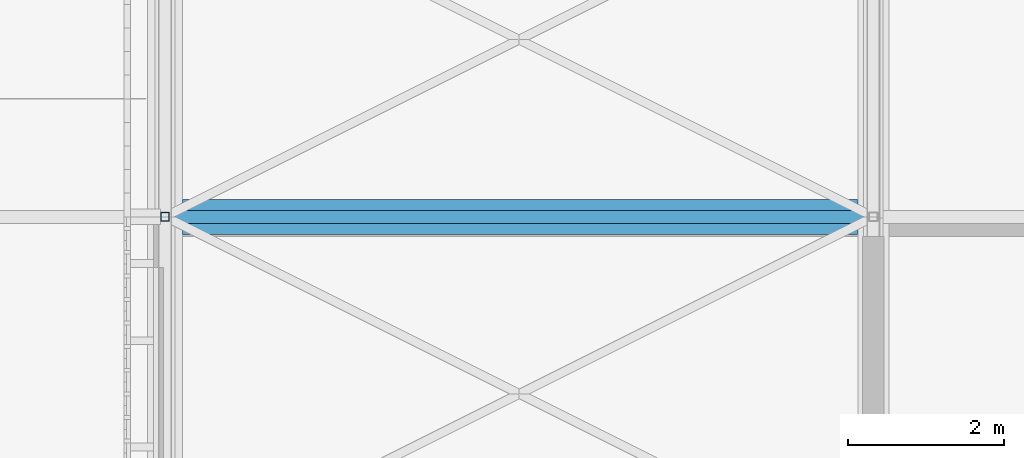
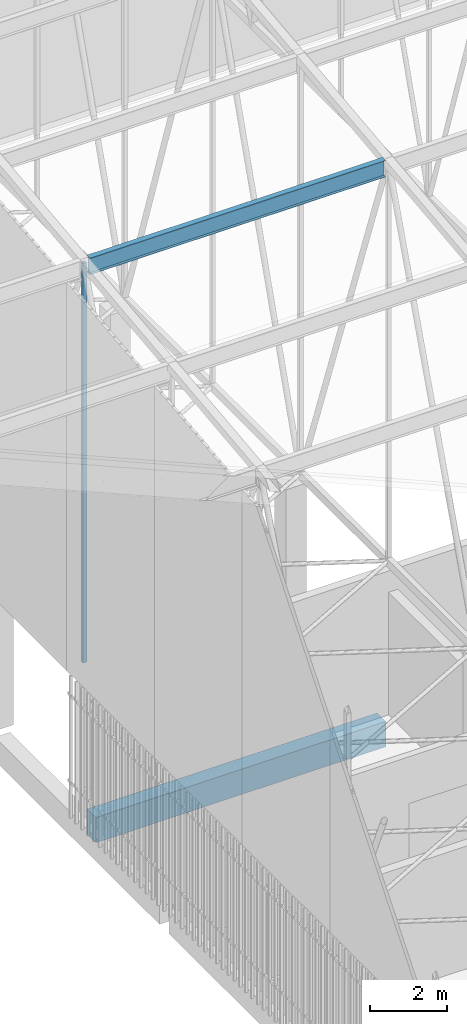
# One storey, part 61 of 500: 2 members, 1 beam.
"""IFC4 building model written with IfcOpenShell, lengths in metres."""

from ifc_helpers import new_model, si_unit, direction, frame, origin, origin_2d, place, context, subcontext, project, spatial, rectangle, hollow_rectangle, i_section, extrude, material, material_profile, profile_set, type_object, element, save


model = new_model("IFC4")

# Units and contexts
model_context = context("Model", 3, precision=1e-05, world=origin(), true_north=direction((0.0, 1.0)))
body_context = subcontext(model_context, "Body", "Model", "MODEL_VIEW")
ifc_project = project(units=[si_unit("LENGTHUNIT", "METRE"), si_unit("AREAUNIT", "SQUARE_METRE"), si_unit("VOLUMEUNIT", "CUBIC_METRE"), si_unit("PLANEANGLEUNIT", "RADIAN"), si_unit("MASSUNIT", "GRAM", prefix="KILO")], contexts=[model_context])

# Site, building, storey
site_placement = place(None, origin())
site = spatial("IfcSite", under=ifc_project, at=site_placement, CompositionType="ELEMENT")
building_placement = place(site_placement, origin())
building = spatial("IfcBuilding", under=site, at=building_placement, Name="Shirokan Park Arena", CompositionType="ELEMENT")
storey_placement = place(building_placement, frame((0.0, 0.0, 29.1201171875)))
storey = spatial("IfcBuildingStorey", under=building, at=storey_placement, Name="L06", CompositionType="ELEMENT", Elevation=29.1201171875)

# Member
ifc_material_1 = material(Name="Steel ASTM A992", Category="steel")
ifc_material_profile_1 = material_profile(ifc_material_1, i_section(OverallWidth=0.166015625, OverallDepth=0.528076171875, WebThickness=0.009765625, FlangeThickness=0.013671875, at=origin_2d()), Name="W530X74")
ifc_profile_set_1 = profile_set([ifc_material_profile_1], Name="Steel ASTM A992")
member_type_1 = type_object("IfcMemberType", Name="Purlin W530X74", PredefinedType="PURLIN", material=ifc_profile_set_1)
member_1_placement = place(storey_placement, frame((0.126953125, 40.949951171875, 17.165771484375), z_axis=(1.0, 0.0, 0.0), x_axis=(0.0, 1.0, 0.0)))
element("IfcMember", 1, at=member_1_placement, inside=storey, type_object=member_type_1, Name="Purlin 12 bay 1", PredefinedType="PURLIN", context=body_context, shape_type="SweptSolid", body=[
    extrude(i_section(OverallWidth=0.166015625, OverallDepth=0.528076171875, WebThickness=0.009765625, FlangeThickness=0.013671875, at=origin_2d()), origin(), (0.0, 0.0, 1.0), 8.845947265625),
])

# Beam
ifc_material_2 = material(Name="Concrete C35", Category="concrete")
ifc_material_profile_2 = material_profile(ifc_material_2, rectangle(XDim=0.449951171875, YDim=0.800048828125, at=origin_2d()), Name="450x800")
ifc_profile_set_2 = profile_set([ifc_material_profile_2], Name="Concrete C35")
beam_type = type_object("IfcBeamType", Name="RC edge beam 450x800", PredefinedType="BEAM", material=ifc_profile_set_2)
beam_placement = place(storey_placement, frame((0.22509765625, 40.949951171875, -0.60009765625), z_axis=(1.0, 0.0, 0.0), x_axis=(0.0, 1.0, 0.0)))
element("IfcBeam", 2, at=beam_placement, inside=storey, type_object=beam_type, Name="Edge beam L06 L06-33", PredefinedType="BEAM", context=body_context, shape_type="SweptSolid", body=[
    extrude(rectangle(XDim=0.449951171875, YDim=0.800048828125, at=origin_2d()), origin(), (0.0, 0.0, 1.0), 8.6748046875),
])

# Member
ifc_material_3 = material(Name="Steel ASTM A500 Grade C", Category="steel")
ifc_material_profile_3 = material_profile(ifc_material_3, hollow_rectangle(XDim=0.114013671875, YDim=0.114013671875, WallThickness=0.00634765625, at=origin_2d()), Name="HSS114.3X114.3X6.4")
ifc_profile_set_3 = profile_set([ifc_material_profile_3], Name="Steel ASTM A500 Grade C")
member_type_2 = type_object("IfcMemberType", Name="Truss post HSS114.3X114.3X6.4", PredefinedType="POST", material=ifc_profile_set_3)
member_2_placement = place(storey_placement, frame((0.0, 40.949951171875, 4.677001953125), z_axis=(0.0, 0.0, 1.0), x_axis=(1.0, 0.0, 0.0)))
element("IfcMember", 3, at=member_2_placement, inside=storey, type_object=member_type_2, Name="Truss T01 post 12", PredefinedType="POST", context=body_context, shape_type="SweptSolid", body=[
    extrude(hollow_rectangle(XDim=0.114013671875, YDim=0.114013671875, WallThickness=0.00634765625, at=origin_2d()), origin(), (0.0, 0.0, 1.0), 12.6259765625),
])

save(model, "model.ifc")
